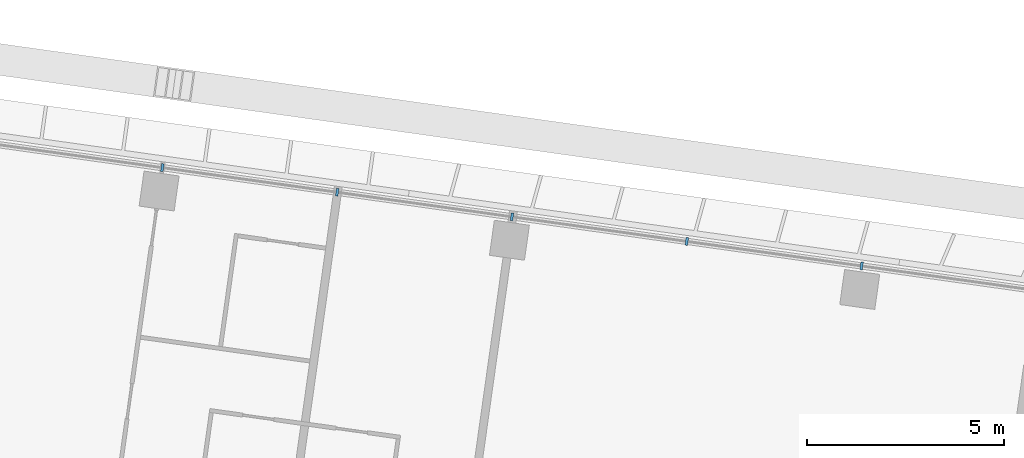
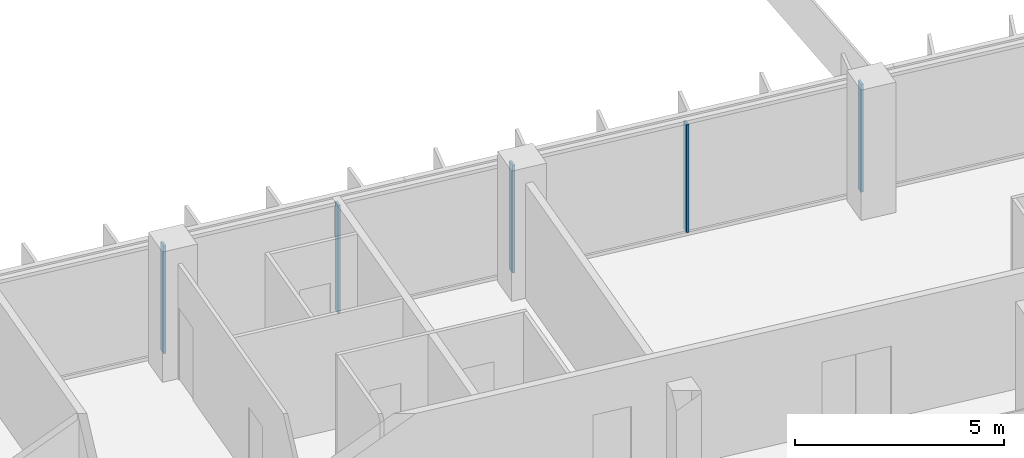
# One storey, part 8 of 41: 5 members, 1 element without a shape of its own.
"""IFC4 building model written with IfcOpenShell, lengths in metres."""

from ifc_helpers import new_model, si_unit, direction, frame, origin, origin_2d, place, context, subcontext, project, spatial, rectangle, extrude, material, material_profile, profile_set, type_object, element, aggregate, save


model = new_model("IFC4")

# Units and contexts
model_context = context("Model", 3, precision=1e-05, world=origin(), true_north=direction((0.0, 1.0)))
body_context = subcontext(model_context, "Body", "Model", "MODEL_VIEW")
ifc_project = project(units=[si_unit("LENGTHUNIT", "METRE"), si_unit("AREAUNIT", "SQUARE_METRE"), si_unit("VOLUMEUNIT", "CUBIC_METRE"), si_unit("PLANEANGLEUNIT", "RADIAN"), si_unit("MASSUNIT", "GRAM", prefix="KILO")], contexts=[model_context])

# Site, building, storey
site_placement = place(None, origin())
site = spatial("IfcSite", under=ifc_project, at=site_placement, CompositionType="ELEMENT")
building_placement = place(site_placement, origin())
building = spatial("IfcBuilding", under=site, at=building_placement, Name="Mirante Cascada Hotel Towers", CompositionType="ELEMENT")
storey_placement = place(building_placement, frame((0.0, 0.0, 125.3)))
storey = spatial("IfcBuildingStorey", under=building, at=storey_placement, Name="L28", CompositionType="ELEMENT", Elevation=125.3)

# Curtain wall, members
ifc_material_1 = material(Name="Aluminium mullion and transom frame with clear laminated glass", Category="aluminium")
curtain_wall_type = type_object("IfcCurtainWallType", Name="Ribbon curtain wall ECW1", PredefinedType="NOTDEFINED", material=ifc_material_1)
curtain_wall_placement = place(storey_placement, origin())
curtain_wall = element("IfcCurtainWall", 1, at=curtain_wall_placement, inside=storey, type_object=curtain_wall_type, Name="Front ribbon wall T1 L28", PredefinedType="NOTDEFINED")
ifc_material_2 = material(Name="Anodised aluminium extrusion", Category="aluminium")
ifc_material_profile = material_profile(ifc_material_2, rectangle(XDim=0.2, YDim=0.065, at=origin_2d()), Name="ECW1 MULLION 65x200")
ifc_profile_set = profile_set([ifc_material_profile], Name="Anodised aluminium extrusion")
member_type = type_object("IfcMemberType", Name="ECW1 mullion 65x200", PredefinedType="MULLION", material=ifc_profile_set)
member_1_placement = place(storey_placement, frame((-63.0262, 21.6768, 0.1), z_axis=(0.0, 0.0, 1.0), x_axis=(0.1391731, 0.9902681, 0.0)))
member_1 = element("IfcMember", 2, at=member_1_placement, type_object=member_type, Name="ECW1 mullion 8", PredefinedType="MULLION", context=body_context, shape_type="SweptSolid", body=[
    extrude(rectangle(XDim=0.2, YDim=0.065, at=origin_2d()), origin(), (0.0, 0.0, 1.0), 3.15),
])
member_2_placement = place(storey_placement, frame((-58.5788, 21.0517, 0.1), z_axis=(0.0, 0.0, 1.0), x_axis=(0.1391731, 0.9902681, 0.0)))
member_2 = element("IfcMember", 3, at=member_2_placement, type_object=member_type, Name="ECW1 mullion 9", PredefinedType="MULLION", context=body_context, shape_type="SweptSolid", body=[
    extrude(rectangle(XDim=0.2, YDim=0.065, at=origin_2d()), origin(), (0.0, 0.0, 1.0), 3.15),
])
member_3_placement = place(storey_placement, frame((-54.1314, 20.4267, 0.1), z_axis=(0.0, 0.0, 1.0), x_axis=(0.1391731, 0.9902681, 0.0)))
member_3 = element("IfcMember", 4, at=member_3_placement, type_object=member_type, Name="ECW1 mullion 10", PredefinedType="MULLION", context=body_context, shape_type="SweptSolid", body=[
    extrude(rectangle(XDim=0.2, YDim=0.065, at=origin_2d()), origin(), (0.0, 0.0, 1.0), 3.15),
])
member_4_placement = place(storey_placement, frame((-49.684, 19.8017, 0.1), z_axis=(0.0, 0.0, 1.0), x_axis=(0.1391731, 0.9902681, 0.0)))
member_4 = element("IfcMember", 5, at=member_4_placement, type_object=member_type, Name="ECW1 mullion 11", PredefinedType="MULLION", context=body_context, shape_type="SweptSolid", body=[
    extrude(rectangle(XDim=0.2, YDim=0.065, at=origin_2d()), origin(), (0.0, 0.0, 1.0), 3.15),
])
member_5_placement = place(storey_placement, frame((-45.2366, 19.1766, 0.1), z_axis=(0.0, 0.0, 1.0), x_axis=(0.1391731, 0.9902681, 0.0)))
member_5 = element("IfcMember", 6, at=member_5_placement, type_object=member_type, Name="ECW1 mullion 12", PredefinedType="MULLION", context=body_context, shape_type="SweptSolid", body=[
    extrude(rectangle(XDim=0.2, YDim=0.065, at=origin_2d()), origin(), (0.0, 0.0, 1.0), 3.15),
])
aggregate(curtain_wall, [member_1, member_2, member_3, member_4, member_5])

save(model, "model.ifc")
